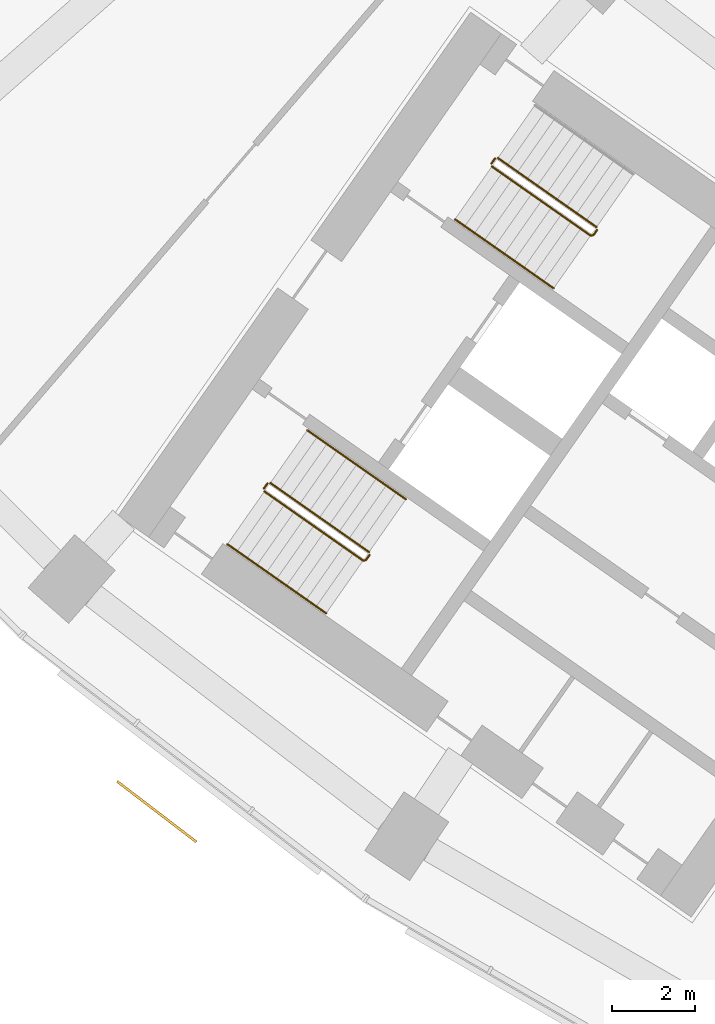
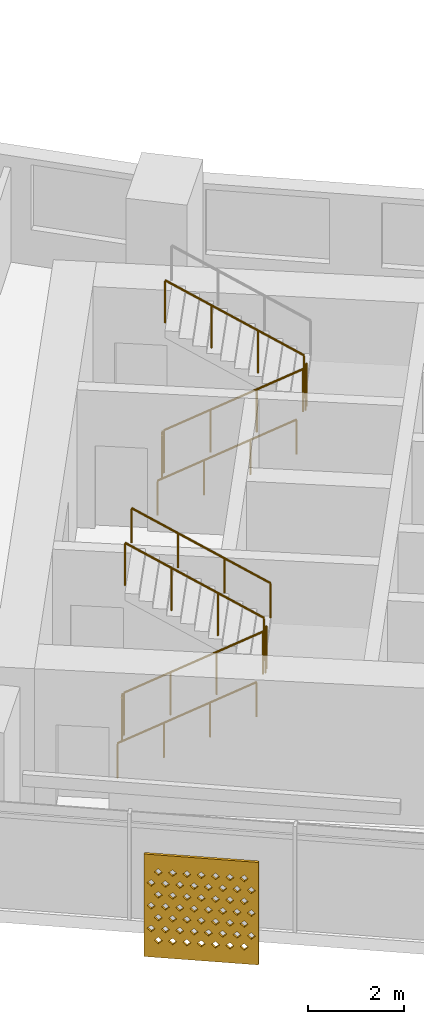
# One storey, part 25 of 29: 9 railings, 1 shading device.
"""IFC4 building model written with IfcOpenShell, lengths in metres."""

from ifc_helpers import new_model, si_unit, direction, frame, origin, origin_2d, place, context, subcontext, project, spatial, polyline, circle, outline, extrude, material, material_profile, profile_set, type_object, element, save


model = new_model("IFC4")

# Units and contexts
model_context = context("Model", 3, precision=1e-05, world=origin(), true_north=direction((0.0, 1.0)))
body_context = subcontext(model_context, "Body", "Model", "MODEL_VIEW")
ifc_project = project(units=[si_unit("LENGTHUNIT", "METRE"), si_unit("AREAUNIT", "SQUARE_METRE"), si_unit("VOLUMEUNIT", "CUBIC_METRE"), si_unit("PLANEANGLEUNIT", "RADIAN"), si_unit("MASSUNIT", "GRAM", prefix="KILO")], contexts=[model_context])

# Site, building, storey
site_placement = place(None, origin())
site = spatial("IfcSite", under=ifc_project, at=site_placement, CompositionType="ELEMENT")
building_placement = place(site_placement, origin())
building = spatial("IfcBuilding", under=site, at=building_placement, Name="Qamariyya Broadcast Tower", CompositionType="ELEMENT")
storey_placement = place(building_placement, frame((0.0, 0.0, 44.300048828125)))
storey = spatial("IfcBuildingStorey", under=building, at=storey_placement, Name="L07", CompositionType="ELEMENT", Elevation=44.300048828125)

# Shading device
ifc_material_1 = material(Name="Perforated glazed terracotta", Category="masonry")
ifc_material_profile = material_profile(ifc_material_1, outline(polyline([(-1.199951171875, -1.300048828125), (1.199951171875, -1.300048828125), (1.199951171875, 1.300048828125), (-1.199951171875, 1.300048828125), (-1.199951171875, -1.300048828125)]), holes=[polyline([(-0.81494140625, -0.86669921875), (-0.89990234375, -0.78173828125), (-0.985107421875, -0.86669921875), (-0.89990234375, -0.95166015625), (-0.81494140625, -0.86669921875)]), polyline([(-0.514892578125, -0.86669921875), (-0.60009765625, -0.78173828125), (-0.68505859375, -0.86669921875), (-0.60009765625, -0.95166015625), (-0.514892578125, -0.86669921875)]), polyline([(-0.215087890625, -0.86669921875), (-0.300048828125, -0.78173828125), (-0.385009765625, -0.86669921875), (-0.300048828125, -0.95166015625), (-0.215087890625, -0.86669921875)]), polyline([(0.0849609375, -0.86669921875), (0.0, -0.78173828125), (-0.0849609375, -0.86669921875), (0.0, -0.95166015625), (0.0849609375, -0.86669921875)]), polyline([(0.385009765625, -0.86669921875), (0.300048828125, -0.78173828125), (0.215087890625, -0.86669921875), (0.300048828125, -0.95166015625), (0.385009765625, -0.86669921875)]), polyline([(0.68505859375, -0.86669921875), (0.60009765625, -0.78173828125), (0.514892578125, -0.86669921875), (0.60009765625, -0.95166015625), (0.68505859375, -0.86669921875)]), polyline([(0.985107421875, -0.86669921875), (0.89990234375, -0.78173828125), (0.81494140625, -0.86669921875), (0.89990234375, -0.95166015625), (0.985107421875, -0.86669921875)]), polyline([(-0.965087890625, -0.577880859375), (-1.050048828125, -0.49267578125), (-1.135009765625, -0.577880859375), (-1.050048828125, -0.662841796875), (-0.965087890625, -0.577880859375)]), polyline([(-0.6650390625, -0.577880859375), (-0.75, -0.49267578125), (-0.8349609375, -0.577880859375), (-0.75, -0.662841796875), (-0.6650390625, -0.577880859375)]), polyline([(-0.364990234375, -0.577880859375), (-0.449951171875, -0.49267578125), (-0.534912109375, -0.577880859375), (-0.449951171875, -0.662841796875), (-0.364990234375, -0.577880859375)]), polyline([(-0.06494140625, -0.577880859375), (-0.14990234375, -0.49267578125), (-0.235107421875, -0.577880859375), (-0.14990234375, -0.662841796875), (-0.06494140625, -0.577880859375)]), polyline([(0.235107421875, -0.577880859375), (0.14990234375, -0.49267578125), (0.06494140625, -0.577880859375), (0.14990234375, -0.662841796875), (0.235107421875, -0.577880859375)]), polyline([(0.534912109375, -0.577880859375), (0.449951171875, -0.49267578125), (0.364990234375, -0.577880859375), (0.449951171875, -0.662841796875), (0.534912109375, -0.577880859375)]), polyline([(0.8349609375, -0.577880859375), (0.75, -0.49267578125), (0.6650390625, -0.577880859375), (0.75, -0.662841796875), (0.8349609375, -0.577880859375)]), polyline([(1.135009765625, -0.577880859375), (1.050048828125, -0.49267578125), (0.965087890625, -0.577880859375), (1.050048828125, -0.662841796875), (1.135009765625, -0.577880859375)]), polyline([(-0.81494140625, -0.288818359375), (-0.89990234375, -0.203857421875), (-0.985107421875, -0.288818359375), (-0.89990234375, -0.373779296875), (-0.81494140625, -0.288818359375)]), polyline([(-0.514892578125, -0.288818359375), (-0.60009765625, -0.203857421875), (-0.68505859375, -0.288818359375), (-0.60009765625, -0.373779296875), (-0.514892578125, -0.288818359375)]), polyline([(-0.215087890625, -0.288818359375), (-0.300048828125, -0.203857421875), (-0.385009765625, -0.288818359375), (-0.300048828125, -0.373779296875), (-0.215087890625, -0.288818359375)]), polyline([(0.0849609375, -0.288818359375), (0.0, -0.203857421875), (-0.0849609375, -0.288818359375), (0.0, -0.373779296875), (0.0849609375, -0.288818359375)]), polyline([(0.385009765625, -0.288818359375), (0.300048828125, -0.203857421875), (0.215087890625, -0.288818359375), (0.300048828125, -0.373779296875), (0.385009765625, -0.288818359375)]), polyline([(0.68505859375, -0.288818359375), (0.60009765625, -0.203857421875), (0.514892578125, -0.288818359375), (0.60009765625, -0.373779296875), (0.68505859375, -0.288818359375)]), polyline([(0.985107421875, -0.288818359375), (0.89990234375, -0.203857421875), (0.81494140625, -0.288818359375), (0.89990234375, -0.373779296875), (0.985107421875, -0.288818359375)]), polyline([(-0.965087890625, 0.0), (-1.050048828125, 0.0849609375), (-1.135009765625, 0.0), (-1.050048828125, -0.0849609375), (-0.965087890625, 0.0)]), polyline([(-0.6650390625, 0.0), (-0.75, 0.0849609375), (-0.8349609375, 0.0), (-0.75, -0.0849609375), (-0.6650390625, 0.0)]), polyline([(-0.364990234375, 0.0), (-0.449951171875, 0.0849609375), (-0.534912109375, 0.0), (-0.449951171875, -0.0849609375), (-0.364990234375, 0.0)]), polyline([(-0.06494140625, 0.0), (-0.14990234375, 0.0849609375), (-0.235107421875, 0.0), (-0.14990234375, -0.0849609375), (-0.06494140625, 0.0)]), polyline([(0.235107421875, 0.0), (0.14990234375, 0.0849609375), (0.06494140625, 0.0), (0.14990234375, -0.0849609375), (0.235107421875, 0.0)]), polyline([(0.534912109375, 0.0), (0.449951171875, 0.0849609375), (0.364990234375, 0.0), (0.449951171875, -0.0849609375), (0.534912109375, 0.0)]), polyline([(0.8349609375, 0.0), (0.75, 0.0849609375), (0.6650390625, 0.0), (0.75, -0.0849609375), (0.8349609375, 0.0)]), polyline([(1.135009765625, 0.0), (1.050048828125, 0.0849609375), (0.965087890625, 0.0), (1.050048828125, -0.0849609375), (1.135009765625, 0.0)]), polyline([(-0.81494140625, 0.288818359375), (-0.89990234375, 0.373779296875), (-0.985107421875, 0.288818359375), (-0.89990234375, 0.203857421875), (-0.81494140625, 0.288818359375)]), polyline([(-0.514892578125, 0.288818359375), (-0.60009765625, 0.373779296875), (-0.68505859375, 0.288818359375), (-0.60009765625, 0.203857421875), (-0.514892578125, 0.288818359375)]), polyline([(-0.215087890625, 0.288818359375), (-0.300048828125, 0.373779296875), (-0.385009765625, 0.288818359375), (-0.300048828125, 0.203857421875), (-0.215087890625, 0.288818359375)]), polyline([(0.0849609375, 0.288818359375), (0.0, 0.373779296875), (-0.0849609375, 0.288818359375), (0.0, 0.203857421875), (0.0849609375, 0.288818359375)]), polyline([(0.385009765625, 0.288818359375), (0.300048828125, 0.373779296875), (0.215087890625, 0.288818359375), (0.300048828125, 0.203857421875), (0.385009765625, 0.288818359375)]), polyline([(0.68505859375, 0.288818359375), (0.60009765625, 0.373779296875), (0.514892578125, 0.288818359375), (0.60009765625, 0.203857421875), (0.68505859375, 0.288818359375)]), polyline([(0.985107421875, 0.288818359375), (0.89990234375, 0.373779296875), (0.81494140625, 0.288818359375), (0.89990234375, 0.203857421875), (0.985107421875, 0.288818359375)]), polyline([(-0.965087890625, 0.577880859375), (-1.050048828125, 0.662841796875), (-1.135009765625, 0.577880859375), (-1.050048828125, 0.49267578125), (-0.965087890625, 0.577880859375)]), polyline([(-0.6650390625, 0.577880859375), (-0.75, 0.662841796875), (-0.8349609375, 0.577880859375), (-0.75, 0.49267578125), (-0.6650390625, 0.577880859375)]), polyline([(-0.364990234375, 0.577880859375), (-0.449951171875, 0.662841796875), (-0.534912109375, 0.577880859375), (-0.449951171875, 0.49267578125), (-0.364990234375, 0.577880859375)]), polyline([(-0.06494140625, 0.577880859375), (-0.14990234375, 0.662841796875), (-0.235107421875, 0.577880859375), (-0.14990234375, 0.49267578125), (-0.06494140625, 0.577880859375)]), polyline([(0.235107421875, 0.577880859375), (0.14990234375, 0.662841796875), (0.06494140625, 0.577880859375), (0.14990234375, 0.49267578125), (0.235107421875, 0.577880859375)]), polyline([(0.534912109375, 0.577880859375), (0.449951171875, 0.662841796875), (0.364990234375, 0.577880859375), (0.449951171875, 0.49267578125), (0.534912109375, 0.577880859375)]), polyline([(0.8349609375, 0.577880859375), (0.75, 0.662841796875), (0.6650390625, 0.577880859375), (0.75, 0.49267578125), (0.8349609375, 0.577880859375)]), polyline([(1.135009765625, 0.577880859375), (1.050048828125, 0.662841796875), (0.965087890625, 0.577880859375), (1.050048828125, 0.49267578125), (1.135009765625, 0.577880859375)]), polyline([(-0.81494140625, 0.86669921875), (-0.89990234375, 0.95166015625), (-0.985107421875, 0.86669921875), (-0.89990234375, 0.78173828125), (-0.81494140625, 0.86669921875)]), polyline([(-0.514892578125, 0.86669921875), (-0.60009765625, 0.95166015625), (-0.68505859375, 0.86669921875), (-0.60009765625, 0.78173828125), (-0.514892578125, 0.86669921875)]), polyline([(-0.215087890625, 0.86669921875), (-0.300048828125, 0.95166015625), (-0.385009765625, 0.86669921875), (-0.300048828125, 0.78173828125), (-0.215087890625, 0.86669921875)]), polyline([(0.0849609375, 0.86669921875), (0.0, 0.95166015625), (-0.0849609375, 0.86669921875), (0.0, 0.78173828125), (0.0849609375, 0.86669921875)]), polyline([(0.385009765625, 0.86669921875), (0.300048828125, 0.95166015625), (0.215087890625, 0.86669921875), (0.300048828125, 0.78173828125), (0.385009765625, 0.86669921875)]), polyline([(0.68505859375, 0.86669921875), (0.60009765625, 0.95166015625), (0.514892578125, 0.86669921875), (0.60009765625, 0.78173828125), (0.68505859375, 0.86669921875)]), polyline([(0.985107421875, 0.86669921875), (0.89990234375, 0.95166015625), (0.81494140625, 0.86669921875), (0.89990234375, 0.78173828125), (0.985107421875, 0.86669921875)])]))
ifc_profile_set = profile_set([ifc_material_profile], Name="Perforated glazed terracotta")
shading_device_type = type_object("IfcShadingDeviceType", Name="Perforated terracotta screen 2400 x 2600", PredefinedType="USERDEFINED", material=ifc_profile_set)
shading_device_placement = place(storey_placement, frame((-49.19873046875, -64.031005859375, 1.349853515625), z_axis=(-0.607147566278, -0.794589096806, 0.0), x_axis=(0.794589096806, -0.607147566278, 0.0)))
element("IfcShadingDevice", 1, at=shading_device_placement, inside=storey, type_object=shading_device_type, Name="e-scr-L07-03-1", ObjectType="SCREEN", PredefinedType="USERDEFINED", context=body_context, shape_type="SweptSolid", body=[
    extrude(outline(polyline([(-1.199951171875, -1.300048828125), (1.199951171875, -1.300048828125), (1.199951171875, 1.300048828125), (-1.199951171875, 1.300048828125), (-1.199951171875, -1.300048828125)]), holes=[polyline([(-0.81494140625, -0.86669921875), (-0.89990234375, -0.78173828125), (-0.985107421875, -0.86669921875), (-0.89990234375, -0.95166015625), (-0.81494140625, -0.86669921875)]), polyline([(-0.514892578125, -0.86669921875), (-0.60009765625, -0.78173828125), (-0.68505859375, -0.86669921875), (-0.60009765625, -0.95166015625), (-0.514892578125, -0.86669921875)]), polyline([(-0.215087890625, -0.86669921875), (-0.300048828125, -0.78173828125), (-0.385009765625, -0.86669921875), (-0.300048828125, -0.95166015625), (-0.215087890625, -0.86669921875)]), polyline([(0.0849609375, -0.86669921875), (0.0, -0.78173828125), (-0.0849609375, -0.86669921875), (0.0, -0.95166015625), (0.0849609375, -0.86669921875)]), polyline([(0.385009765625, -0.86669921875), (0.300048828125, -0.78173828125), (0.215087890625, -0.86669921875), (0.300048828125, -0.95166015625), (0.385009765625, -0.86669921875)]), polyline([(0.68505859375, -0.86669921875), (0.60009765625, -0.78173828125), (0.514892578125, -0.86669921875), (0.60009765625, -0.95166015625), (0.68505859375, -0.86669921875)]), polyline([(0.985107421875, -0.86669921875), (0.89990234375, -0.78173828125), (0.81494140625, -0.86669921875), (0.89990234375, -0.95166015625), (0.985107421875, -0.86669921875)]), polyline([(-0.965087890625, -0.577880859375), (-1.050048828125, -0.49267578125), (-1.135009765625, -0.577880859375), (-1.050048828125, -0.662841796875), (-0.965087890625, -0.577880859375)]), polyline([(-0.6650390625, -0.577880859375), (-0.75, -0.49267578125), (-0.8349609375, -0.577880859375), (-0.75, -0.662841796875), (-0.6650390625, -0.577880859375)]), polyline([(-0.364990234375, -0.577880859375), (-0.449951171875, -0.49267578125), (-0.534912109375, -0.577880859375), (-0.449951171875, -0.662841796875), (-0.364990234375, -0.577880859375)]), polyline([(-0.06494140625, -0.577880859375), (-0.14990234375, -0.49267578125), (-0.235107421875, -0.577880859375), (-0.14990234375, -0.662841796875), (-0.06494140625, -0.577880859375)]), polyline([(0.235107421875, -0.577880859375), (0.14990234375, -0.49267578125), (0.06494140625, -0.577880859375), (0.14990234375, -0.662841796875), (0.235107421875, -0.577880859375)]), polyline([(0.534912109375, -0.577880859375), (0.449951171875, -0.49267578125), (0.364990234375, -0.577880859375), (0.449951171875, -0.662841796875), (0.534912109375, -0.577880859375)]), polyline([(0.8349609375, -0.577880859375), (0.75, -0.49267578125), (0.6650390625, -0.577880859375), (0.75, -0.662841796875), (0.8349609375, -0.577880859375)]), polyline([(1.135009765625, -0.577880859375), (1.050048828125, -0.49267578125), (0.965087890625, -0.577880859375), (1.050048828125, -0.662841796875), (1.135009765625, -0.577880859375)]), polyline([(-0.81494140625, -0.288818359375), (-0.89990234375, -0.203857421875), (-0.985107421875, -0.288818359375), (-0.89990234375, -0.373779296875), (-0.81494140625, -0.288818359375)]), polyline([(-0.514892578125, -0.288818359375), (-0.60009765625, -0.203857421875), (-0.68505859375, -0.288818359375), (-0.60009765625, -0.373779296875), (-0.514892578125, -0.288818359375)]), polyline([(-0.215087890625, -0.288818359375), (-0.300048828125, -0.203857421875), (-0.385009765625, -0.288818359375), (-0.300048828125, -0.373779296875), (-0.215087890625, -0.288818359375)]), polyline([(0.0849609375, -0.288818359375), (0.0, -0.203857421875), (-0.0849609375, -0.288818359375), (0.0, -0.373779296875), (0.0849609375, -0.288818359375)]), polyline([(0.385009765625, -0.288818359375), (0.300048828125, -0.203857421875), (0.215087890625, -0.288818359375), (0.300048828125, -0.373779296875), (0.385009765625, -0.288818359375)]), polyline([(0.68505859375, -0.288818359375), (0.60009765625, -0.203857421875), (0.514892578125, -0.288818359375), (0.60009765625, -0.373779296875), (0.68505859375, -0.288818359375)]), polyline([(0.985107421875, -0.288818359375), (0.89990234375, -0.203857421875), (0.81494140625, -0.288818359375), (0.89990234375, -0.373779296875), (0.985107421875, -0.288818359375)]), polyline([(-0.965087890625, 0.0), (-1.050048828125, 0.0849609375), (-1.135009765625, 0.0), (-1.050048828125, -0.0849609375), (-0.965087890625, 0.0)]), polyline([(-0.6650390625, 0.0), (-0.75, 0.0849609375), (-0.8349609375, 0.0), (-0.75, -0.0849609375), (-0.6650390625, 0.0)]), polyline([(-0.364990234375, 0.0), (-0.449951171875, 0.0849609375), (-0.534912109375, 0.0), (-0.449951171875, -0.0849609375), (-0.364990234375, 0.0)]), polyline([(-0.06494140625, 0.0), (-0.14990234375, 0.0849609375), (-0.235107421875, 0.0), (-0.14990234375, -0.0849609375), (-0.06494140625, 0.0)]), polyline([(0.235107421875, 0.0), (0.14990234375, 0.0849609375), (0.06494140625, 0.0), (0.14990234375, -0.0849609375), (0.235107421875, 0.0)]), polyline([(0.534912109375, 0.0), (0.449951171875, 0.0849609375), (0.364990234375, 0.0), (0.449951171875, -0.0849609375), (0.534912109375, 0.0)]), polyline([(0.8349609375, 0.0), (0.75, 0.0849609375), (0.6650390625, 0.0), (0.75, -0.0849609375), (0.8349609375, 0.0)]), polyline([(1.135009765625, 0.0), (1.050048828125, 0.0849609375), (0.965087890625, 0.0), (1.050048828125, -0.0849609375), (1.135009765625, 0.0)]), polyline([(-0.81494140625, 0.288818359375), (-0.89990234375, 0.373779296875), (-0.985107421875, 0.288818359375), (-0.89990234375, 0.203857421875), (-0.81494140625, 0.288818359375)]), polyline([(-0.514892578125, 0.288818359375), (-0.60009765625, 0.373779296875), (-0.68505859375, 0.288818359375), (-0.60009765625, 0.203857421875), (-0.514892578125, 0.288818359375)]), polyline([(-0.215087890625, 0.288818359375), (-0.300048828125, 0.373779296875), (-0.385009765625, 0.288818359375), (-0.300048828125, 0.203857421875), (-0.215087890625, 0.288818359375)]), polyline([(0.0849609375, 0.288818359375), (0.0, 0.373779296875), (-0.0849609375, 0.288818359375), (0.0, 0.203857421875), (0.0849609375, 0.288818359375)]), polyline([(0.385009765625, 0.288818359375), (0.300048828125, 0.373779296875), (0.215087890625, 0.288818359375), (0.300048828125, 0.203857421875), (0.385009765625, 0.288818359375)]), polyline([(0.68505859375, 0.288818359375), (0.60009765625, 0.373779296875), (0.514892578125, 0.288818359375), (0.60009765625, 0.203857421875), (0.68505859375, 0.288818359375)]), polyline([(0.985107421875, 0.288818359375), (0.89990234375, 0.373779296875), (0.81494140625, 0.288818359375), (0.89990234375, 0.203857421875), (0.985107421875, 0.288818359375)]), polyline([(-0.965087890625, 0.577880859375), (-1.050048828125, 0.662841796875), (-1.135009765625, 0.577880859375), (-1.050048828125, 0.49267578125), (-0.965087890625, 0.577880859375)]), polyline([(-0.6650390625, 0.577880859375), (-0.75, 0.662841796875), (-0.8349609375, 0.577880859375), (-0.75, 0.49267578125), (-0.6650390625, 0.577880859375)]), polyline([(-0.364990234375, 0.577880859375), (-0.449951171875, 0.662841796875), (-0.534912109375, 0.577880859375), (-0.449951171875, 0.49267578125), (-0.364990234375, 0.577880859375)]), polyline([(-0.06494140625, 0.577880859375), (-0.14990234375, 0.662841796875), (-0.235107421875, 0.577880859375), (-0.14990234375, 0.49267578125), (-0.06494140625, 0.577880859375)]), polyline([(0.235107421875, 0.577880859375), (0.14990234375, 0.662841796875), (0.06494140625, 0.577880859375), (0.14990234375, 0.49267578125), (0.235107421875, 0.577880859375)]), polyline([(0.534912109375, 0.577880859375), (0.449951171875, 0.662841796875), (0.364990234375, 0.577880859375), (0.449951171875, 0.49267578125), (0.534912109375, 0.577880859375)]), polyline([(0.8349609375, 0.577880859375), (0.75, 0.662841796875), (0.6650390625, 0.577880859375), (0.75, 0.49267578125), (0.8349609375, 0.577880859375)]), polyline([(1.135009765625, 0.577880859375), (1.050048828125, 0.662841796875), (0.965087890625, 0.577880859375), (1.050048828125, 0.49267578125), (1.135009765625, 0.577880859375)]), polyline([(-0.81494140625, 0.86669921875), (-0.89990234375, 0.95166015625), (-0.985107421875, 0.86669921875), (-0.89990234375, 0.78173828125), (-0.81494140625, 0.86669921875)]), polyline([(-0.514892578125, 0.86669921875), (-0.60009765625, 0.95166015625), (-0.68505859375, 0.86669921875), (-0.60009765625, 0.78173828125), (-0.514892578125, 0.86669921875)]), polyline([(-0.215087890625, 0.86669921875), (-0.300048828125, 0.95166015625), (-0.385009765625, 0.86669921875), (-0.300048828125, 0.78173828125), (-0.215087890625, 0.86669921875)]), polyline([(0.0849609375, 0.86669921875), (0.0, 0.95166015625), (-0.0849609375, 0.86669921875), (0.0, 0.78173828125), (0.0849609375, 0.86669921875)]), polyline([(0.385009765625, 0.86669921875), (0.300048828125, 0.95166015625), (0.215087890625, 0.86669921875), (0.300048828125, 0.78173828125), (0.385009765625, 0.86669921875)]), polyline([(0.68505859375, 0.86669921875), (0.60009765625, 0.95166015625), (0.514892578125, 0.86669921875), (0.60009765625, 0.78173828125), (0.68505859375, 0.86669921875)]), polyline([(0.985107421875, 0.86669921875), (0.89990234375, 0.95166015625), (0.81494140625, 0.86669921875), (0.89990234375, 0.78173828125), (0.985107421875, 0.86669921875)])]), origin(), (0.0, 0.0, 1.0), 0.059814453125),
])

# Railings
ifc_material_2 = material(Name="Painted steel", Category="steel")
railing_type_1 = type_object("IfcRailingType", Name="Stair guard", PredefinedType="GUARDRAIL", material=ifc_material_2)
railing_1_placement = place(storey_placement, frame((-41.146728515625, -48.52490234375, 0.172607421875)))
element("IfcRailing", 2, at=railing_1_placement, inside=storey, type_object=railing_type_1, Name="L07 ST-W2 stair guard 1", PredefinedType="GUARDRAIL", context=body_context, shape_type="SweptSolid", body=[
    extrude(circle(Radius=0.02392578125, at=origin_2d()), frame((0.0, 0.0, 1.076171875), z_axis=(0.703770094002, -0.492783725636, 0.511734163933), x_axis=(0.573575343427, 0.819152809562, 0.0)), (0.0, 0.0, 1.0), 3.37548828125),
    extrude(circle(Radius=0.02392578125, at=origin_2d()), frame((2.37548828125, -1.663330078125, 2.80322265625), z_axis=(0.985059694769, 0.172213233351, 0.0), x_axis=(-0.172213233351, 0.985059694769, 0.0)), (0.0, 0.0, 1.0), 0.07080078125),
    extrude(circle(Radius=0.02392578125, at=origin_2d()), frame((2.4453125, -1.651123046875, 2.80322265625), z_axis=(0.572588637393, 0.819842821722, 0.0), x_axis=(-0.819842821722, 0.572588637393, 0.0)), (0.0, 0.0, 1.0), 0.150146484375),
    extrude(circle(Radius=0.02099609375, at=origin_2d()), origin(), (0.0, 0.0, 1.0), 1.052001953125),
    extrude(circle(Radius=0.02099609375, at=origin_2d()), frame((0.791748046875, -0.554443359375, 0.57568359375)), (0.0, 0.0, 1.0), 1.052001953125),
    extrude(circle(Radius=0.02099609375, at=origin_2d()), frame((1.583740234375, -1.10888671875, 1.151611328125)), (0.0, 0.0, 1.0), 1.052001953125),
    extrude(circle(Radius=0.02099609375, at=origin_2d()), frame((2.37548828125, -1.663330078125, 1.727294921875)), (0.0, 0.0, 1.0), 1.052001953125),
    extrude(circle(Radius=0.02099609375, at=origin_2d()), frame((2.4453125, -1.651123046875, 1.727294921875)), (0.0, 0.0, 1.0), 1.052001953125),
    extrude(circle(Radius=0.02099609375, at=origin_2d()), frame((2.53125, -1.528076171875, 1.727294921875)), (0.0, 0.0, 1.0), 1.052001953125),
])
railing_2_placement = place(storey_placement, frame((-38.627685546875, -49.9833984375, 2.07275390625)))
element("IfcRailing", 3, at=railing_2_placement, inside=storey, type_object=railing_type_1, Name="L07 ST-W2 stair guard 2", PredefinedType="GUARDRAIL", context=body_context, shape_type="SweptSolid", body=[
    extrude(circle(Radius=0.02392578125, at=origin_2d()), frame((0.0, 0.0, 1.076171875), z_axis=(-0.703770094002, 0.492783725636, 0.511734163933), x_axis=(-0.573575343427, -0.819152809562, 0.0)), (0.0, 0.0, 1.0), 3.37548828125),
    extrude(circle(Radius=0.02099609375, at=origin_2d()), origin(), (0.0, 0.0, 1.0), 1.052001953125),
    extrude(circle(Radius=0.02099609375, at=origin_2d()), frame((-0.791748046875, 0.554443359375, 0.57568359375)), (0.0, 0.0, 1.0), 1.052001953125),
    extrude(circle(Radius=0.02099609375, at=origin_2d()), frame((-1.583740234375, 1.10888671875, 1.151611328125)), (0.0, 0.0, 1.0), 1.052001953125),
    extrude(circle(Radius=0.02099609375, at=origin_2d()), frame((-2.37548828125, 1.663330078125, 1.727294921875)), (0.0, 0.0, 1.0), 1.052001953125),
])
railing_3_placement = place(storey_placement, frame((-41.158935546875, -48.455322265625, 0.0)))
element("IfcRailing", 4, at=railing_3_placement, inside=storey, type_object=railing_type_1, Name="L07 ST-W2 stair guard 3", PredefinedType="GUARDRAIL", context=body_context, shape_type="SweptSolid", body=[
    extrude(circle(Radius=0.02392578125, at=origin_2d()), frame((0.0, 0.0, 1.076171875), z_axis=(0.572588637393, 0.819842821722, 0.0), x_axis=(-0.819842821722, 0.572588637393, 0.0)), (0.0, 0.0, 1.0), 0.150146484375),
    extrude(circle(Radius=0.02099609375, at=origin_2d()), origin(), (0.0, 0.0, 1.0), 1.052001953125),
    extrude(circle(Radius=0.02099609375, at=origin_2d()), frame((0.0859375, 0.123046875, 0.0)), (0.0, 0.0, 1.0), 1.052001953125),
])
railing_4_placement = place(storey_placement, frame((-46.624267578125, -56.34765625, 0.172607421875)))
element("IfcRailing", 5, at=railing_4_placement, inside=storey, type_object=railing_type_1, Name="L07 ST-W1 stair guard 1", PredefinedType="GUARDRAIL", context=body_context, shape_type="SweptSolid", body=[
    extrude(circle(Radius=0.02392578125, at=origin_2d()), frame((0.0, 0.0, 1.076171875), z_axis=(0.703745009021, -0.492838488332, 0.511715923826), x_axis=(0.573631830683, 0.819113253969, 0.0)), (0.0, 0.0, 1.0), 3.37548828125),
    extrude(circle(Radius=0.02392578125, at=origin_2d()), frame((2.37548828125, -1.66357421875, 2.80322265625), z_axis=(0.984363469884, 0.176149252506, 0.0), x_axis=(-0.176149252506, 0.984363469884, 0.0)), (0.0, 0.0, 1.0), 0.07080078125),
    extrude(circle(Radius=0.02392578125, at=origin_2d()), frame((2.445068359375, -1.651123046875, 2.80322265625), z_axis=(0.574444878118, 0.818543268254, 0.0), x_axis=(-0.818543268254, 0.574444878118, 0.0)), (0.0, 0.0, 1.0), 0.150146484375),
    extrude(circle(Radius=0.02099609375, at=origin_2d()), origin(), (0.0, 0.0, 1.0), 1.052001953125),
    extrude(circle(Radius=0.02099609375, at=origin_2d()), frame((0.791748046875, -0.554443359375, 0.57568359375)), (0.0, 0.0, 1.0), 1.052001953125),
    extrude(circle(Radius=0.02099609375, at=origin_2d()), frame((1.583740234375, -1.109130859375, 1.151611328125)), (0.0, 0.0, 1.0), 1.052001953125),
    extrude(circle(Radius=0.02099609375, at=origin_2d()), frame((2.37548828125, -1.66357421875, 1.727294921875)), (0.0, 0.0, 1.0), 1.052001953125),
    extrude(circle(Radius=0.02099609375, at=origin_2d()), frame((2.445068359375, -1.651123046875, 1.727294921875)), (0.0, 0.0, 1.0), 1.052001953125),
    extrude(circle(Radius=0.02099609375, at=origin_2d()), frame((2.53125, -1.5283203125, 1.727294921875)), (0.0, 0.0, 1.0), 1.052001953125),
])
railing_5_placement = place(storey_placement, frame((-44.10546875, -57.806396484375, 2.07275390625)))
element("IfcRailing", 6, at=railing_5_placement, inside=storey, type_object=railing_type_1, Name="L07 ST-W1 stair guard 2", PredefinedType="GUARDRAIL", context=body_context, shape_type="SweptSolid", body=[
    extrude(circle(Radius=0.02392578125, at=origin_2d()), frame((0.0, 0.0, 1.076171875), z_axis=(-0.703770094002, 0.492783725636, 0.511734163933), x_axis=(-0.573575343427, -0.819152809562, 0.0)), (0.0, 0.0, 1.0), 3.37548828125),
    extrude(circle(Radius=0.02099609375, at=origin_2d()), origin(), (0.0, 0.0, 1.0), 1.052001953125),
    extrude(circle(Radius=0.02099609375, at=origin_2d()), frame((-0.791748046875, 0.554443359375, 0.57568359375)), (0.0, 0.0, 1.0), 1.052001953125),
    extrude(circle(Radius=0.02099609375, at=origin_2d()), frame((-1.583740234375, 1.10888671875, 1.151611328125)), (0.0, 0.0, 1.0), 1.052001953125),
    extrude(circle(Radius=0.02099609375, at=origin_2d()), frame((-2.37548828125, 1.663330078125, 1.727294921875)), (0.0, 0.0, 1.0), 1.052001953125),
])
railing_6_placement = place(storey_placement, frame((-46.63671875, -56.278076171875, 0.0)))
element("IfcRailing", 7, at=railing_6_placement, inside=storey, type_object=railing_type_1, Name="L07 ST-W1 stair guard 3", PredefinedType="GUARDRAIL", context=body_context, shape_type="SweptSolid", body=[
    extrude(circle(Radius=0.02392578125, at=origin_2d()), frame((0.0, 0.0, 1.076171875), z_axis=(0.574444878118, 0.818543268254, 0.0), x_axis=(-0.818543268254, 0.574444878118, 0.0)), (0.0, 0.0, 1.0), 0.150146484375),
    extrude(circle(Radius=0.02099609375, at=origin_2d()), origin(), (0.0, 0.0, 1.0), 1.052001953125),
    extrude(circle(Radius=0.02099609375, at=origin_2d()), frame((0.086181640625, 0.122802734375, 0.0)), (0.0, 0.0, 1.0), 1.052001953125),
])
ifc_material_3 = material(Name="Stainless steel", Category="steel")
railing_type_2 = type_object("IfcRailingType", Name="Stair handrail", PredefinedType="HANDRAIL", material=ifc_material_3)
railing_7_placement = place(storey_placement, frame((-42.03564453125, -49.79443359375, 0.172607421875)))
element("IfcRailing", 8, at=railing_7_placement, inside=storey, type_object=railing_type_2, Name="L07 ST-W2 stair handrail 1", PredefinedType="HANDRAIL", context=body_context, shape_type="SweptSolid", body=[
    extrude(circle(Radius=0.02392578125, at=origin_2d()), frame((0.0, 0.0, 0.8759765625), z_axis=(0.703745009021, -0.492838488332, 0.511715923826), x_axis=(0.573631830683, 0.819113253969, 0.0)), (0.0, 0.0, 1.0), 3.37548828125),
    extrude(circle(Radius=0.02099609375, at=origin_2d()), origin(), (0.0, 0.0, 1.0), 0.851806640625),
    extrude(circle(Radius=0.02099609375, at=origin_2d()), frame((0.791748046875, -0.554443359375, 0.57568359375)), (0.0, 0.0, 1.0), 0.851806640625),
    extrude(circle(Radius=0.02099609375, at=origin_2d()), frame((1.583740234375, -1.109130859375, 1.151611328125)), (0.0, 0.0, 1.0), 0.851806640625),
    extrude(circle(Radius=0.02099609375, at=origin_2d()), frame((2.37548828125, -1.66357421875, 1.727294921875)), (0.0, 0.0, 1.0), 0.851806640625),
])
railing_8_placement = place(storey_placement, frame((-47.513427734375, -57.617431640625, 0.172607421875)))
element("IfcRailing", 9, at=railing_8_placement, inside=storey, type_object=railing_type_2, Name="L07 ST-W1 stair handrail 1", PredefinedType="HANDRAIL", context=body_context, shape_type="SweptSolid", body=[
    extrude(circle(Radius=0.02392578125, at=origin_2d()), frame((0.0, 0.0, 0.8759765625), z_axis=(0.703770094002, -0.492783725636, 0.511734163933), x_axis=(0.573575343427, 0.819152809562, 0.0)), (0.0, 0.0, 1.0), 3.37548828125),
    extrude(circle(Radius=0.02099609375, at=origin_2d()), origin(), (0.0, 0.0, 1.0), 0.851806640625),
    extrude(circle(Radius=0.02099609375, at=origin_2d()), frame((0.791748046875, -0.554443359375, 0.57568359375)), (0.0, 0.0, 1.0), 0.851806640625),
    extrude(circle(Radius=0.02099609375, at=origin_2d()), frame((1.583740234375, -1.10888671875, 1.151611328125)), (0.0, 0.0, 1.0), 0.851806640625),
    extrude(circle(Radius=0.02099609375, at=origin_2d()), frame((2.37548828125, -1.663330078125, 1.727294921875)), (0.0, 0.0, 1.0), 0.851806640625),
])
railing_9_placement = place(storey_placement, frame((-43.21630859375, -56.53662109375, 2.07275390625)))
element("IfcRailing", 10, at=railing_9_placement, inside=storey, type_object=railing_type_2, Name="L07 ST-W1 stair handrail 2", PredefinedType="HANDRAIL", context=body_context, shape_type="SweptSolid", body=[
    extrude(circle(Radius=0.02392578125, at=origin_2d()), frame((0.0, 0.0, 0.8759765625), z_axis=(-0.703770094002, 0.492783725636, 0.511734163933), x_axis=(-0.573575343427, -0.819152809562, 0.0)), (0.0, 0.0, 1.0), 3.37548828125),
    extrude(circle(Radius=0.02099609375, at=origin_2d()), origin(), (0.0, 0.0, 1.0), 0.851806640625),
    extrude(circle(Radius=0.02099609375, at=origin_2d()), frame((-0.791748046875, 0.554443359375, 0.57568359375)), (0.0, 0.0, 1.0), 0.851806640625),
    extrude(circle(Radius=0.02099609375, at=origin_2d()), frame((-1.583740234375, 1.10888671875, 1.151611328125)), (0.0, 0.0, 1.0), 0.851806640625),
    extrude(circle(Radius=0.02099609375, at=origin_2d()), frame((-2.37548828125, 1.663330078125, 1.727294921875)), (0.0, 0.0, 1.0), 0.851806640625),
])

save(model, "model.ifc")
